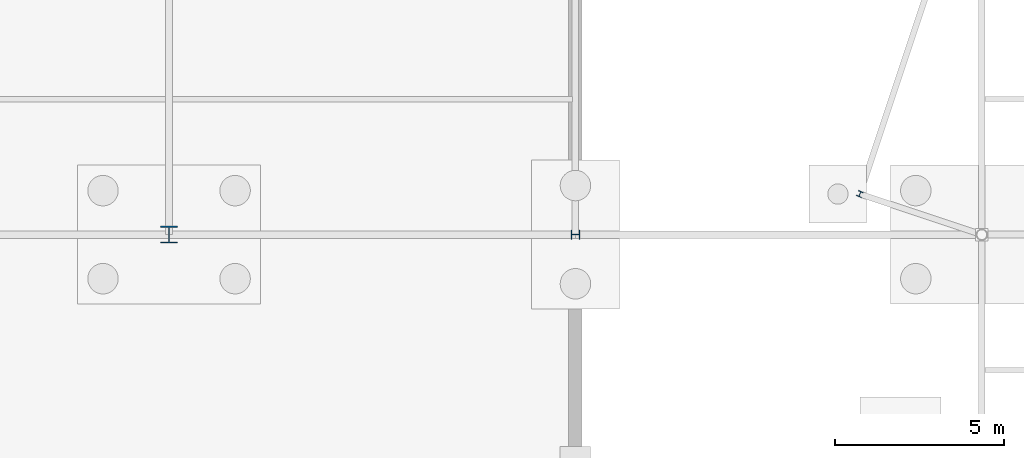
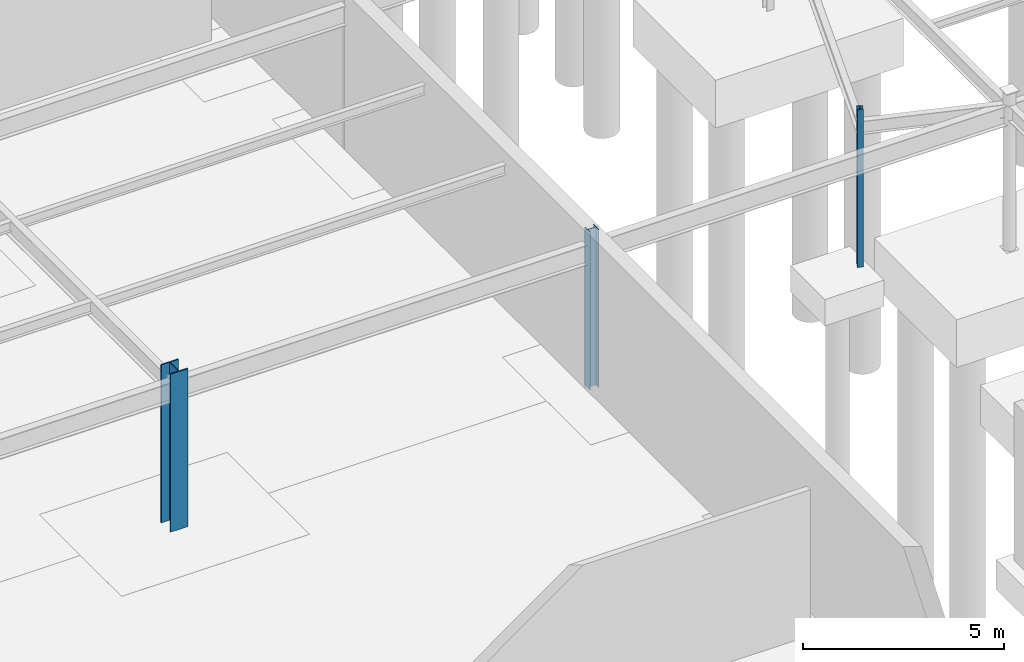
# One storey, part 58 of 136: 3 columns.
"""IFC4 building model written with IfcOpenShell, lengths in metres."""

from ifc_helpers import new_model, si_unit, direction, frame, origin, origin_2d, place, context, subcontext, project, spatial, i_section, extrude, material, material_profile, profile_set, type_object, element, save


model = new_model("IFC4")

# Units and contexts
model_context = context("Model", 3, precision=1e-05, world=origin(), true_north=direction((0.0, 1.0)))
body_context = subcontext(model_context, "Body", "Model", "MODEL_VIEW")
ifc_project = project(units=[si_unit("LENGTHUNIT", "METRE"), si_unit("AREAUNIT", "SQUARE_METRE"), si_unit("VOLUMEUNIT", "CUBIC_METRE"), si_unit("PLANEANGLEUNIT", "RADIAN"), si_unit("MASSUNIT", "GRAM", prefix="KILO")], contexts=[model_context])

# Site, building, storey
site_placement = place(None, origin())
site = spatial("IfcSite", under=ifc_project, at=site_placement, CompositionType="ELEMENT")
building_placement = place(site_placement, origin())
building = spatial("IfcBuilding", under=site, at=building_placement, Name="Tarnwether General Hospital", CompositionType="ELEMENT")
storey_placement = place(building_placement, frame((0.0, 0.0, -4.800048828125)))
storey = spatial("IfcBuildingStorey", under=building, at=storey_placement, Name="LG", CompositionType="ELEMENT", Elevation=-4.800048828125)

# Columns
ifc_material_1 = material(Name="Steel Grade 350 (350 MPa)", Category="steel")
ifc_material_profile_1 = material_profile(ifc_material_1, i_section(OverallWidth=0.5, OverallDepth=0.5, WebThickness=0.02197265625, FlangeThickness=0.035888671875, at=origin_2d()), Name="500WC380")
ifc_profile_set_1 = profile_set([ifc_material_profile_1], Name="Steel Grade 350 (350 MPa)")
column_type_1 = type_object("IfcColumnType", Name="COL-01", PredefinedType="COLUMN", material=ifc_profile_set_1)
column_1_placement = place(storey_placement, frame((120.0, 81.60009765625, 0.0), z_axis=(0.0, 0.0, 1.0), x_axis=(1.0, 0.0, 0.0)))
element("IfcColumn", 1, at=column_1_placement, inside=storey, type_object=column_type_1, Name="Column COLG-LG-12000_8160", PredefinedType="COLUMN", context=body_context, shape_type="SweptSolid", body=[
    extrude(i_section(OverallWidth=0.5, OverallDepth=0.5, WebThickness=0.02197265625, FlangeThickness=0.035888671875, at=origin_2d()), origin(), (0.0, 0.0, 1.0), 4.800048828125),
])
ifc_material_2 = material(Name="Steel Grade 350 (350 MPa)", Category="steel")
ifc_material_profile_2 = material_profile(ifc_material_2, i_section(OverallWidth=0.256103515625, OverallDepth=0.260009765625, WebThickness=0.010498046875, FlangeThickness=0.017333984375, at=origin_2d()), Name="250UC89.5")
ifc_profile_set_2 = profile_set([ifc_material_profile_2], Name="Steel Grade 350 (350 MPa)")
column_type_2 = type_object("IfcColumnType", Name="COL-09", PredefinedType="COLUMN", material=ifc_profile_set_2)
column_2_placement = place(storey_placement, frame((132.0, 81.60009765625, 0.0), z_axis=(0.0, 0.0, 1.0), x_axis=(0.0, 1.0, 0.0)))
element("IfcColumn", 2, at=column_2_placement, inside=storey, type_object=column_type_2, Name="Column COLG-LG-13200_8160", PredefinedType="COLUMN", context=body_context, shape_type="SweptSolid", body=[
    extrude(i_section(OverallWidth=0.256103515625, OverallDepth=0.260009765625, WebThickness=0.010498046875, FlangeThickness=0.017333984375, at=origin_2d()), origin(), (0.0, 0.0, 1.0), 4.800048828125),
])
ifc_material_3 = material(Name="Steel Grade 350 (350 MPa)", Category="steel")
ifc_material_profile_3 = material_profile(ifc_material_3, i_section(OverallWidth=0.154052734375, OverallDepth=0.162109375, WebThickness=0.008056640625, FlangeThickness=0.011474609375, at=origin_2d()), Name="150UC37.2")
ifc_profile_set_3 = profile_set([ifc_material_profile_3], Name="Steel Grade 350 (350 MPa)")
column_type_3 = type_object("IfcColumnType", Name="COL-28", PredefinedType="COLUMN", material=ifc_profile_set_3)
column_3_placement = place(storey_placement, frame((140.39990234375, 82.800048828125, 0.0), z_axis=(0.0, 0.0, 1.0), x_axis=(0.913545457643, -0.406736643076, 0.0)))
element("IfcColumn", 3, at=column_3_placement, inside=storey, type_object=column_type_3, Name="Column COLG-LG-14040_8280", PredefinedType="COLUMN", context=body_context, shape_type="SweptSolid", body=[
    extrude(i_section(OverallWidth=0.154052734375, OverallDepth=0.162109375, WebThickness=0.008056640625, FlangeThickness=0.011474609375, at=origin_2d()), origin(), (0.0, 0.0, 1.0), 4.800048828125),
])

save(model, "model.ifc")
